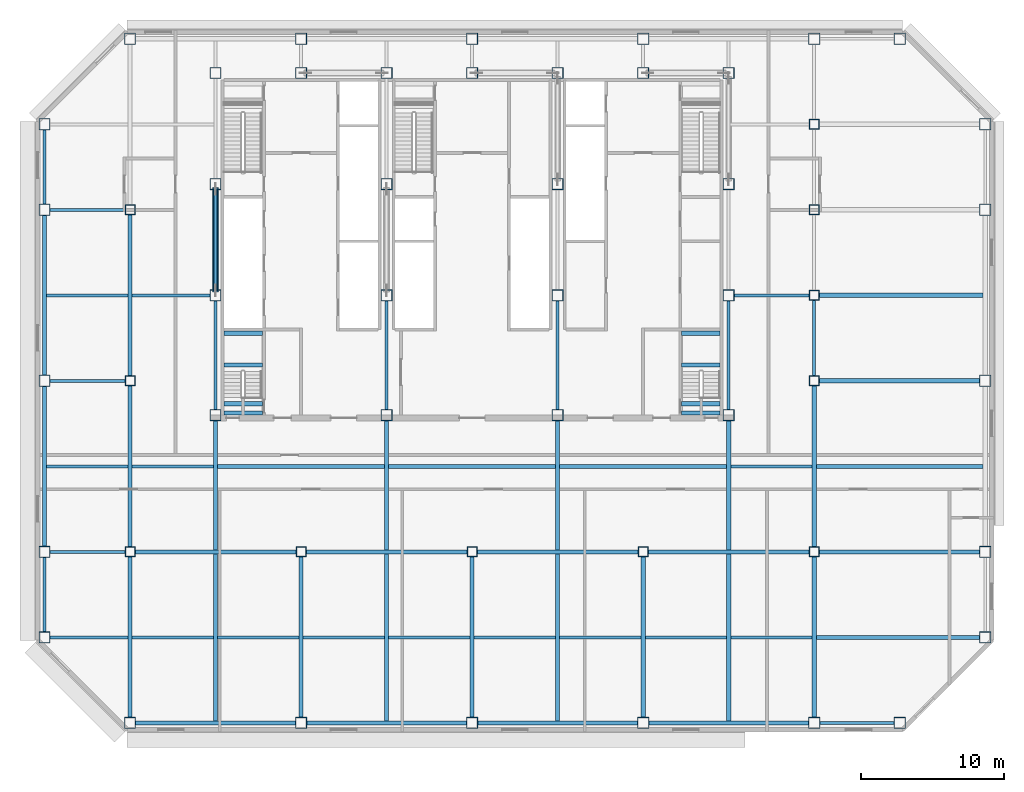
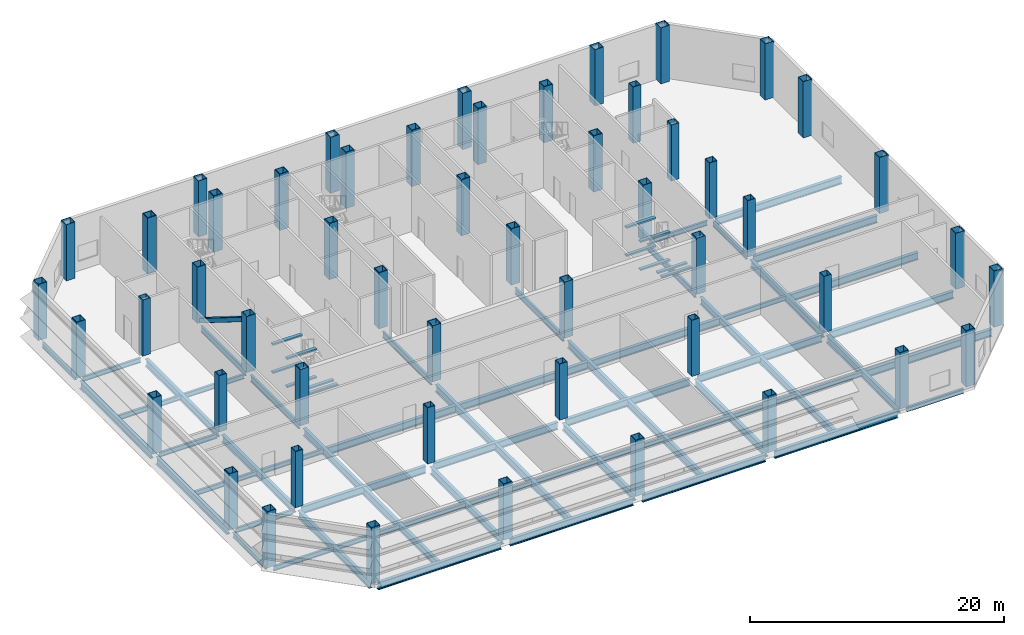
# One storey, part 1 of 10: 73 beams, 52 columns, 1 member.
"""IFC4 building model written with IfcOpenShell, lengths in metres."""

from ifc_helpers import new_model, si_unit, direction, frame, origin, origin_2d, place, context, subcontext, project, spatial, rectangle, hollow_rectangle, i_section, extrude, material, material_profile, profile_set, type_object, element, save


model = new_model("IFC4")

# Units and contexts
model_context = context("Model", 3, precision=1e-05, world=origin(), true_north=direction((0.0, 1.0)))
body_context = subcontext(model_context, "Body", "Model", "MODEL_VIEW")
ifc_project = project(units=[si_unit("LENGTHUNIT", "METRE"), si_unit("AREAUNIT", "SQUARE_METRE"), si_unit("VOLUMEUNIT", "CUBIC_METRE"), si_unit("PLANEANGLEUNIT", "RADIAN"), si_unit("MASSUNIT", "GRAM", prefix="KILO")], contexts=[model_context])

# Site, building, storey
site_placement = place(None, origin())
site = spatial("IfcSite", under=ifc_project, at=site_placement, CompositionType="ELEMENT")
building_placement = place(site_placement, origin())
building = spatial("IfcBuilding", under=site, at=building_placement, Name="Sorahane Residences", CompositionType="ELEMENT")
storey_placement = place(building_placement, frame((0.0, 0.0, 138.39990234375)))
storey = spatial("IfcBuildingStorey", under=building, at=storey_placement, Name="L31", CompositionType="ELEMENT", Elevation=138.39990234375)

# Columns
ifc_material_1 = material(Name="Steel Q355B", Category="steel")
ifc_material_profile_1 = material_profile(ifc_material_1, hollow_rectangle(XDim=0.699951171875, YDim=0.699951171875, WallThickness=0.035888671875, at=origin_2d()), Name="BOX 700x700x36")
ifc_profile_set_1 = profile_set([ifc_material_profile_1], Name="Steel Q355B")
column_type_1 = type_object("IfcColumnType", Name="Steel box column BOX 700x700x36 Q355B", PredefinedType="COLUMN", material=ifc_profile_set_1)
for number, where, z_axis, x_axis, name in (
    (1, (0.0, 12.0, 0.0), (0.0, 0.0, 1.0), (1.0, 0.0, 0.0), "Column L31 0/12"),
    (2, (0.0, 24.0, 0.0), (0.0, 0.0, 1.0), (1.0, 0.0, 0.0), "Column L31 0/24"),
    (3, (0.0, 36.0, 0.0), (0.0, 0.0, 1.0), (1.0, 0.0, 0.0), "Column L31 0/36"),
    (4, (12.0, 12.0, 0.0), (0.0, 0.0, 1.0), (1.0, 0.0, 0.0), "Column L31 12/12"),
    (5, (24.0, 12.0, 0.0), (0.0, 0.0, 1.0), (1.0, 0.0, 0.0), "Column L31 24/12"),
    (6, (36.0, 12.0, 0.0), (0.0, 0.0, 1.0), (1.0, 0.0, 0.0), "Column L31 36/12"),
    (7, (48.0, 12.0, 0.0), (0.0, 0.0, 1.0), (1.0, 0.0, 0.0), "Column L31 48/12"),
    (8, (48.0, 24.0, 0.0), (0.0, 0.0, 1.0), (1.0, 0.0, 0.0), "Column L31 48/24"),
    (9, (48.0, 30.0, 0.0), (0.0, 0.0, 1.0), (1.0, 0.0, 0.0), "Column L31 48/30"),
    (10, (48.0, 36.0, 0.0), (0.0, 0.0, 1.0), (1.0, 0.0, 0.0), "Column L31 48/36"),
    (11, (48.0, 42.0, 0.0), (0.0, 0.0, 1.0), (1.0, 0.0, 0.0), "Column L31 48/42"),
):
    element("IfcColumn", number, at=place(storey_placement, frame(where, z_axis=z_axis, x_axis=x_axis)), inside=storey, type_object=column_type_1, Name=name, PredefinedType="COLUMN", context=body_context, shape_type="SweptSolid", body=[
        extrude(hollow_rectangle(XDim=0.699951171875, YDim=0.699951171875, WallThickness=0.035888671875, at=origin_2d()), origin(), (0.0, 0.0, 1.0), 5.400146484375),
    ])
ifc_material_2 = material(Name="Steel Q355B", Category="steel")
ifc_material_profile_2 = material_profile(ifc_material_2, hollow_rectangle(XDim=0.800048828125, YDim=0.800048828125, WallThickness=0.0400390625, at=origin_2d()), Name="BOX 800x800x40")
ifc_profile_set_2 = profile_set([ifc_material_profile_2], Name="Steel Q355B")
column_type_2 = type_object("IfcColumnType", Name="Steel box column BOX 800x800x40 Q355B", PredefinedType="COLUMN", material=ifc_profile_set_2)
for number, where, z_axis, x_axis, name in (
    (12, (-6.0, 6.0, 0.0), (0.0, 0.0, 1.0), (1.0, 0.0, 0.0), "Column L31 m6/6"),
    (13, (-6.0, 12.0, 0.0), (0.0, 0.0, 1.0), (1.0, 0.0, 0.0), "Column L31 m6/12"),
    (14, (-6.0, 24.0, 0.0), (0.0, 0.0, 1.0), (1.0, 0.0, 0.0), "Column L31 m6/24"),
    (15, (-6.0, 36.0, 0.0), (0.0, 0.0, 1.0), (1.0, 0.0, 0.0), "Column L31 m6/36"),
    (16, (-6.0, 42.0, 0.0), (0.0, 0.0, 1.0), (1.0, 0.0, 0.0), "Column L31 m6/42"),
    (17, (0.0, 0.0, 0.0), (0.0, 0.0, 1.0), (1.0, 0.0, 0.0), "Column L31 0/0"),
    (18, (0.0, 48.0, 0.0), (0.0, 0.0, 1.0), (1.0, 0.0, 0.0), "Column L31 0/48"),
    (19, (12.0, 0.0, 0.0), (0.0, 0.0, 1.0), (1.0, 0.0, 0.0), "Column L31 12/0"),
    (20, (12.0, 48.0, 0.0), (0.0, 0.0, 1.0), (1.0, 0.0, 0.0), "Column L31 12/48"),
    (21, (24.0, 0.0, 0.0), (0.0, 0.0, 1.0), (1.0, 0.0, 0.0), "Column L31 24/0"),
    (22, (24.0, 48.0, 0.0), (0.0, 0.0, 1.0), (1.0, 0.0, 0.0), "Column L31 24/48"),
    (23, (36.0, 0.0, 0.0), (0.0, 0.0, 1.0), (1.0, 0.0, 0.0), "Column L31 36/0"),
    (24, (36.0, 48.0, 0.0), (0.0, 0.0, 1.0), (1.0, 0.0, 0.0), "Column L31 36/48"),
    (25, (48.0, 0.0, 0.0), (0.0, 0.0, 1.0), (1.0, 0.0, 0.0), "Column L31 48/0"),
    (26, (48.0, 48.0, 0.0), (0.0, 0.0, 1.0), (1.0, 0.0, 0.0), "Column L31 48/48"),
    (27, (54.0, 0.0, 0.0), (0.0, 0.0, 1.0), (1.0, 0.0, 0.0), "Column L31 54/0"),
    (28, (54.0, 48.0, 0.0), (0.0, 0.0, 1.0), (1.0, 0.0, 0.0), "Column L31 54/48"),
    (29, (60.0, 6.0, 0.0), (0.0, 0.0, 1.0), (1.0, 0.0, 0.0), "Column L31 60/6"),
    (30, (60.0, 12.0, 0.0), (0.0, 0.0, 1.0), (1.0, 0.0, 0.0), "Column L31 60/12"),
    (31, (60.0, 24.0, 0.0), (0.0, 0.0, 1.0), (1.0, 0.0, 0.0), "Column L31 60/24"),
    (32, (60.0, 36.0, 0.0), (0.0, 0.0, 1.0), (1.0, 0.0, 0.0), "Column L31 60/36"),
    (33, (60.0, 42.0, 0.0), (0.0, 0.0, 1.0), (1.0, 0.0, 0.0), "Column L31 60/42"),
):
    element("IfcColumn", number, at=place(storey_placement, frame(where, z_axis=z_axis, x_axis=x_axis)), inside=storey, type_object=column_type_2, Name=name, PredefinedType="COLUMN", context=body_context, shape_type="SweptSolid", body=[
        extrude(hollow_rectangle(XDim=0.800048828125, YDim=0.800048828125, WallThickness=0.0400390625, at=origin_2d()), origin(), (0.0, 0.0, 1.0), 5.400146484375),
    ])
ifc_material_3 = material(Name="Steel Q420GJ", Category="steel")
ifc_material_profile_3 = material_profile(ifc_material_3, hollow_rectangle(XDim=0.800048828125, YDim=0.800048828125, WallThickness=0.050048828125, at=origin_2d()), Name="BOX 800x800x50")
ifc_profile_set_3 = profile_set([ifc_material_profile_3], Name="Steel Q420GJ")
column_type_3 = type_object("IfcColumnType", Name="Steel box column BOX 800x800x50 Q420GJ", PredefinedType="COLUMN", material=ifc_profile_set_3)
for number, where, z_axis, x_axis, name in (
    (34, (6.0, 21.60009765625, 0.0), (0.0, 0.0, 1.0), (1.0, 0.0, 0.0), "Column L31 6/21.6"),
    (35, (6.0, 30.0, 0.0), (0.0, 0.0, 1.0), (1.0, 0.0, 0.0), "Column L31 6/30"),
    (36, (6.0, 37.800048828125, 0.0), (0.0, 0.0, 1.0), (1.0, 0.0, 0.0), "Column L31 6/37.8"),
    (37, (6.0, 45.60009765625, 0.0), (0.0, 0.0, 1.0), (1.0, 0.0, 0.0), "Column L31 6/45.6"),
    (38, (12.0, 45.60009765625, 0.0), (0.0, 0.0, 1.0), (1.0, 0.0, 0.0), "Column L31 12/45.6"),
    (39, (18.0, 21.60009765625, 0.0), (0.0, 0.0, 1.0), (1.0, 0.0, 0.0), "Column L31 18/21.6"),
    (40, (18.0, 30.0, 0.0), (0.0, 0.0, 1.0), (1.0, 0.0, 0.0), "Column L31 18/30"),
    (41, (18.0, 37.800048828125, 0.0), (0.0, 0.0, 1.0), (1.0, 0.0, 0.0), "Column L31 18/37.8"),
    (42, (18.0, 45.60009765625, 0.0), (0.0, 0.0, 1.0), (1.0, 0.0, 0.0), "Column L31 18/45.6"),
    (43, (24.0, 45.60009765625, 0.0), (0.0, 0.0, 1.0), (1.0, 0.0, 0.0), "Column L31 24/45.6"),
    (44, (30.0, 21.60009765625, 0.0), (0.0, 0.0, 1.0), (1.0, 0.0, 0.0), "Column L31 30/21.6"),
    (45, (30.0, 30.0, 0.0), (0.0, 0.0, 1.0), (1.0, 0.0, 0.0), "Column L31 30/30"),
    (46, (30.0, 37.800048828125, 0.0), (0.0, 0.0, 1.0), (1.0, 0.0, 0.0), "Column L31 30/37.8"),
    (47, (30.0, 45.60009765625, 0.0), (0.0, 0.0, 1.0), (1.0, 0.0, 0.0), "Column L31 30/45.6"),
    (48, (36.0, 45.60009765625, 0.0), (0.0, 0.0, 1.0), (1.0, 0.0, 0.0), "Column L31 36/45.6"),
    (49, (42.0, 21.60009765625, 0.0), (0.0, 0.0, 1.0), (1.0, 0.0, 0.0), "Column L31 42/21.6"),
    (50, (42.0, 30.0, 0.0), (0.0, 0.0, 1.0), (1.0, 0.0, 0.0), "Column L31 42/30"),
    (51, (42.0, 37.800048828125, 0.0), (0.0, 0.0, 1.0), (1.0, 0.0, 0.0), "Column L31 42/37.8"),
    (52, (42.0, 45.60009765625, 0.0), (0.0, 0.0, 1.0), (1.0, 0.0, 0.0), "Column L31 42/45.6"),
):
    element("IfcColumn", number, at=place(storey_placement, frame(where, z_axis=z_axis, x_axis=x_axis)), inside=storey, type_object=column_type_3, Name=name, PredefinedType="COLUMN", context=body_context, shape_type="SweptSolid", body=[
        extrude(hollow_rectangle(XDim=0.800048828125, YDim=0.800048828125, WallThickness=0.050048828125, at=origin_2d()), origin(), (0.0, 0.0, 1.0), 5.400146484375),
    ])

# Member
ifc_material_4 = material(Name="Steel Q355B", Category="steel")
ifc_material_profile_4 = material_profile(ifc_material_4, hollow_rectangle(XDim=0.39990234375, YDim=0.39990234375, WallThickness=0.02001953125, InnerFilletRadius=0.010009765625, OuterFilletRadius=0.030029296875, at=origin_2d()), Name="RHS 400x400x20")
ifc_profile_set_4 = profile_set([ifc_material_profile_4], Name="Steel Q355B")
member_type = type_object("IfcMemberType", Name="Core brace RHS 400x400x20 Q355B", PredefinedType="BRACE", material=ifc_profile_set_4)
member_placement = place(storey_placement, frame((6.0, 37.463623046875, 0.160400390625), z_axis=(0.0, -0.848267545169, 0.529567910482), x_axis=(1.0, 0.0, 0.0)))
element("IfcMember", 53, at=member_placement, inside=storey, type_object=member_type, Name="Core brace L31 x6-2", PredefinedType="BRACE", context=body_context, shape_type="SweptSolid", body=[
    extrude(hollow_rectangle(XDim=0.39990234375, YDim=0.39990234375, WallThickness=0.02001953125, InnerFilletRadius=0.010009765625, OuterFilletRadius=0.030029296875, at=origin_2d()), origin(), (0.0, 0.0, 1.0), 8.402099609375),
])

# Beams
ifc_material_5 = material(Name="Concrete C40", Category="concrete")
ifc_material_profile_5 = material_profile(ifc_material_5, rectangle(XDim=0.300048828125, YDim=0.139892578125, at=origin_2d()), Name="300x140")
ifc_profile_set_5 = profile_set([ifc_material_profile_5], Name="Concrete C40")
beam_type_1 = type_object("IfcBeamType", Name="RC landing beam 300 x 140 Concrete C40", PredefinedType="BEAM", material=ifc_profile_set_5)
for number, where, z_axis, x_axis, name in (
    (54, (6.60009765625, 25.1201171875, 1.080078125), (1.0, 0.0, 0.0), (0.0, 1.0, 0.0), "Landing beam"),
    (55, (6.60009765625, 27.35009765625, 1.080078125), (1.0, 0.0, 0.0), (0.0, 1.0, 0.0), "Landing beam"),
    (56, (6.60009765625, 21.75, 2.43017578125), (1.0, 0.0, 0.0), (0.0, 1.0, 0.0), "Landing beam"),
    (57, (6.60009765625, 22.39990234375, 2.43017578125), (1.0, 0.0, 0.0), (0.0, 1.0, 0.0), "Landing beam"),
    (58, (6.60009765625, 25.1201171875, 3.780029296875), (1.0, 0.0, 0.0), (0.0, 1.0, 0.0), "Landing beam"),
    (59, (6.60009765625, 27.35009765625, 3.780029296875), (1.0, 0.0, 0.0), (0.0, 1.0, 0.0), "Landing beam"),
    (60, (38.699951171875, 25.1201171875, 1.080078125), (1.0, 0.0, 0.0), (0.0, 1.0, 0.0), "Landing beam"),
    (61, (38.699951171875, 27.35009765625, 1.080078125), (1.0, 0.0, 0.0), (0.0, 1.0, 0.0), "Landing beam"),
    (62, (38.699951171875, 21.75, 2.43017578125), (1.0, 0.0, 0.0), (0.0, 1.0, 0.0), "Landing beam"),
    (63, (38.699951171875, 22.39990234375, 2.43017578125), (1.0, 0.0, 0.0), (0.0, 1.0, 0.0), "Landing beam"),
    (64, (38.699951171875, 25.1201171875, 3.780029296875), (1.0, 0.0, 0.0), (0.0, 1.0, 0.0), "Landing beam"),
    (65, (38.699951171875, 27.35009765625, 3.780029296875), (1.0, 0.0, 0.0), (0.0, 1.0, 0.0), "Landing beam"),
):
    element("IfcBeam", number, at=place(storey_placement, frame(where, z_axis=z_axis, x_axis=x_axis)), inside=storey, type_object=beam_type_1, Name=name, PredefinedType="BEAM", context=body_context, shape_type="SweptSolid", body=[
        extrude(rectangle(XDim=0.300048828125, YDim=0.139892578125, at=origin_2d()), origin(), (0.0, 0.0, 1.0), 2.699951171875),
    ])
ifc_material_6 = material(Name="Steel Q355B", Category="steel")
ifc_material_profile_6 = material_profile(ifc_material_6, i_section(OverallWidth=0.199951171875, OverallDepth=0.449951171875, WebThickness=0.009033203125, FlangeThickness=0.013916015625, FilletRadius=0.02001953125, at=origin_2d()), Name="HN 450x200x9x14")
ifc_profile_set_6 = profile_set([ifc_material_profile_6], Name="Steel Q355B")
beam_type_2 = type_object("IfcBeamType", Name="Steel floor beam HN 450x200x9x14 Q355B", PredefinedType="BEAM", material=ifc_profile_set_6)
beam_1_placement = place(storey_placement, frame((48.39990234375, 0.0, -0.52490234375), z_axis=(1.0, 0.0, 0.0), x_axis=(0.0, 1.0, 0.0)))
element("IfcBeam", 66, at=beam_1_placement, inside=storey, type_object=beam_type_2, Name="Beam L31 004", PredefinedType="BEAM", context=body_context, shape_type="SweptSolid", body=[
    extrude(i_section(OverallWidth=0.199951171875, OverallDepth=0.449951171875, WebThickness=0.009033203125, FlangeThickness=0.013916015625, FilletRadius=0.02001953125, at=origin_2d()), origin(), (0.0, 0.0, 1.0), 5.2001953125),
])
for number, where, z_axis, x_axis, name in (
    (67, (-5.60009765625, 12.0, -0.52490234375), (1.0, 0.0, 0.0), (0.0, 1.0, 0.0), "Beam L31 005"),
    (68, (-5.60009765625, 24.0, -0.52490234375), (1.0, 0.0, 0.0), (0.0, 1.0, 0.0), "Beam L31 011"),
    (69, (-5.60009765625, 36.0, -0.52490234375), (1.0, 0.0, 0.0), (0.0, 1.0, 0.0), "Beam L31 013"),
):
    element("IfcBeam", number, at=place(storey_placement, frame(where, z_axis=z_axis, x_axis=x_axis)), inside=storey, type_object=beam_type_2, Name=name, PredefinedType="BEAM", context=body_context, shape_type="SweptSolid", body=[
        extrude(i_section(OverallWidth=0.199951171875, OverallDepth=0.449951171875, WebThickness=0.009033203125, FlangeThickness=0.013916015625, FilletRadius=0.02001953125, at=origin_2d()), origin(), (0.0, 0.0, 1.0), 5.25),
    ])
for number, where, z_axis, x_axis, name in (
    (70, (-6.0, 6.39990234375, -0.52490234375), (0.0, 1.0, 0.0), (-1.0, 0.0, 0.0), "Beam L31 020"),
    (71, (-6.0, 36.39990234375, -0.52490234375), (0.0, 1.0, 0.0), (-1.0, 0.0, 0.0), "Beam L31 023"),
):
    element("IfcBeam", number, at=place(storey_placement, frame(where, z_axis=z_axis, x_axis=x_axis)), inside=storey, type_object=beam_type_2, Name=name, PredefinedType="BEAM", context=body_context, shape_type="SweptSolid", body=[
        extrude(i_section(OverallWidth=0.199951171875, OverallDepth=0.449951171875, WebThickness=0.009033203125, FlangeThickness=0.013916015625, FilletRadius=0.02001953125, at=origin_2d()), origin(), (0.0, 0.0, 1.0), 5.2001953125),
    ])
beam_2_placement = place(storey_placement, frame((48.0, 24.35009765625, -0.52490234375), z_axis=(0.0, 1.0, 0.0), x_axis=(-1.0, 0.0, 0.0)))
element("IfcBeam", 72, at=beam_2_placement, inside=storey, type_object=beam_type_2, Name="Beam L31 060", PredefinedType="BEAM", context=body_context, shape_type="SweptSolid", body=[
    extrude(i_section(OverallWidth=0.199951171875, OverallDepth=0.449951171875, WebThickness=0.009033203125, FlangeThickness=0.013916015625, FilletRadius=0.02001953125, at=origin_2d()), origin(), (0.0, 0.0, 1.0), 5.2998046875),
])
beam_3_placement = place(storey_placement, frame((-5.60009765625, 6.0, -0.52490234375), z_axis=(1.0, 0.0, 0.0), x_axis=(0.0, 1.0, 0.0)))
element("IfcBeam", 73, at=beam_3_placement, inside=storey, type_object=beam_type_2, Name="Beam L31 068", PredefinedType="BEAM", context=body_context, shape_type="SweptSolid", body=[
    extrude(i_section(OverallWidth=0.199951171875, OverallDepth=0.449951171875, WebThickness=0.009033203125, FlangeThickness=0.013916015625, FilletRadius=0.02001953125, at=origin_2d()), origin(), (0.0, 0.0, 1.0), 5.4501953125),
])
for number, where, z_axis, x_axis, name in (
    (74, (0.14990234375, 6.0, -0.52490234375), (1.0, 0.0, 0.0), (0.0, 1.0, 0.0), "Beam L31 069"),
    (75, (6.14990234375, 6.0, -0.52490234375), (1.0, 0.0, 0.0), (0.0, 1.0, 0.0), "Beam L31 070"),
    (76, (12.14990234375, 6.0, -0.52490234375), (1.0, 0.0, 0.0), (0.0, 1.0, 0.0), "Beam L31 071"),
    (77, (18.14990234375, 6.0, -0.52490234375), (1.0, 0.0, 0.0), (0.0, 1.0, 0.0), "Beam L31 072"),
    (78, (24.14990234375, 6.0, -0.52490234375), (1.0, 0.0, 0.0), (0.0, 1.0, 0.0), "Beam L31 073"),
    (79, (30.14990234375, 6.0, -0.52490234375), (1.0, 0.0, 0.0), (0.0, 1.0, 0.0), "Beam L31 074"),
    (80, (36.14990234375, 6.0, -0.52490234375), (1.0, 0.0, 0.0), (0.0, 1.0, 0.0), "Beam L31 075"),
    (81, (42.14990234375, 6.0, -0.52490234375), (1.0, 0.0, 0.0), (0.0, 1.0, 0.0), "Beam L31 076"),
    (82, (-5.85009765625, 18.0, -0.52490234375), (1.0, 0.0, 0.0), (0.0, 1.0, 0.0), "Beam L31 078"),
    (83, (0.14990234375, 18.0, -0.52490234375), (1.0, 0.0, 0.0), (0.0, 1.0, 0.0), "Beam L31 079"),
    (84, (42.14990234375, 18.0, -0.52490234375), (1.0, 0.0, 0.0), (0.0, 1.0, 0.0), "Beam L31 083"),
    (85, (-5.85009765625, 30.0, -0.52490234375), (1.0, 0.0, 0.0), (0.0, 1.0, 0.0), "Beam L31 085"),
):
    element("IfcBeam", number, at=place(storey_placement, frame(where, z_axis=z_axis, x_axis=x_axis)), inside=storey, type_object=beam_type_2, Name=name, PredefinedType="BEAM", context=body_context, shape_type="SweptSolid", body=[
        extrude(i_section(OverallWidth=0.199951171875, OverallDepth=0.449951171875, WebThickness=0.009033203125, FlangeThickness=0.013916015625, FilletRadius=0.02001953125, at=origin_2d()), origin(), (0.0, 0.0, 1.0), 5.7001953125),
    ])
beam_4_placement = place(storey_placement, frame((0.14990234375, 30.0, -0.52490234375), z_axis=(1.0, 0.0, 0.0), x_axis=(0.0, 1.0, 0.0)))
element("IfcBeam", 86, at=beam_4_placement, inside=storey, type_object=beam_type_2, Name="Beam L31 086", PredefinedType="BEAM", context=body_context, shape_type="SweptSolid", body=[
    extrude(i_section(OverallWidth=0.199951171875, OverallDepth=0.449951171875, WebThickness=0.009033203125, FlangeThickness=0.013916015625, FilletRadius=0.02001953125, at=origin_2d()), origin(), (0.0, 0.0, 1.0), 5.4501953125),
])
beam_5_placement = place(storey_placement, frame((42.39990234375, 30.0, -0.52490234375), z_axis=(1.0, 0.0, 0.0), x_axis=(0.0, 1.0, 0.0)))
element("IfcBeam", 87, at=beam_5_placement, inside=storey, type_object=beam_type_2, Name="Beam L31 087", PredefinedType="BEAM", context=body_context, shape_type="SweptSolid", body=[
    extrude(i_section(OverallWidth=0.199951171875, OverallDepth=0.449951171875, WebThickness=0.009033203125, FlangeThickness=0.013916015625, FilletRadius=0.02001953125, at=origin_2d()), origin(), (0.0, 0.0, 1.0), 5.25),
])
ifc_material_7 = material(Name="Steel Q355B", Category="steel")
ifc_material_profile_7 = material_profile(ifc_material_7, i_section(OverallWidth=0.199951171875, OverallDepth=0.60009765625, WebThickness=0.010986328125, FlangeThickness=0.01708984375, FilletRadius=0.02392578125, at=origin_2d()), Name="HN 600x200x11x17")
ifc_profile_set_7 = profile_set([ifc_material_profile_7], Name="Steel Q355B")
beam_type_3 = type_object("IfcBeamType", Name="Steel floor beam HN 600x200x11x17 Q355B", PredefinedType="BEAM", material=ifc_profile_set_7)
beam_6_placement = place(storey_placement, frame((6.0, 22.0, -0.599853515625), z_axis=(0.0, 1.0, 0.0), x_axis=(-1.0, 0.0, 0.0)))
element("IfcBeam", 88, at=beam_6_placement, inside=storey, type_object=beam_type_3, Name="Beam L31 030", PredefinedType="BEAM", context=body_context, shape_type="SweptSolid", body=[
    extrude(i_section(OverallWidth=0.199951171875, OverallDepth=0.60009765625, WebThickness=0.010986328125, FlangeThickness=0.01708984375, FilletRadius=0.02392578125, at=origin_2d()), origin(), (0.0, 0.0, 1.0), 7.60009765625),
])
beam_7_placement = place(storey_placement, frame((6.0, 30.39990234375, -0.599853515625), z_axis=(0.0, 1.0, 0.0), x_axis=(-1.0, 0.0, 0.0)))
element("IfcBeam", 89, at=beam_7_placement, inside=storey, type_object=beam_type_3, Name="Beam L31 031", PredefinedType="BEAM", context=body_context, shape_type="SweptSolid", body=[
    extrude(i_section(OverallWidth=0.199951171875, OverallDepth=0.60009765625, WebThickness=0.010986328125, FlangeThickness=0.01708984375, FilletRadius=0.02392578125, at=origin_2d()), origin(), (0.0, 0.0, 1.0), 7.0),
])
for number, where, z_axis, x_axis, name in (
    (90, (18.0, 22.0, -0.599853515625), (0.0, 1.0, 0.0), (-1.0, 0.0, 0.0), "Beam L31 038"),
    (91, (30.0, 22.0, -0.599853515625), (0.0, 1.0, 0.0), (-1.0, 0.0, 0.0), "Beam L31 046"),
    (92, (42.0, 22.0, -0.599853515625), (0.0, 1.0, 0.0), (-1.0, 0.0, 0.0), "Beam L31 054"),
):
    element("IfcBeam", number, at=place(storey_placement, frame(where, z_axis=z_axis, x_axis=x_axis)), inside=storey, type_object=beam_type_3, Name=name, PredefinedType="BEAM", context=body_context, shape_type="SweptSolid", body=[
        extrude(i_section(OverallWidth=0.199951171875, OverallDepth=0.60009765625, WebThickness=0.010986328125, FlangeThickness=0.01708984375, FilletRadius=0.02392578125, at=origin_2d()), origin(), (0.0, 0.0, 1.0), 7.60009765625),
    ])
ifc_material_8 = material(Name="Steel Q355B", Category="steel")
ifc_material_profile_8 = material_profile(ifc_material_8, i_section(OverallWidth=0.300048828125, OverallDepth=0.699951171875, WebThickness=0.012939453125, FlangeThickness=0.02392578125, FilletRadius=0.028076171875, at=origin_2d()), Name="HN 700x300x13x24")
ifc_profile_set_8 = profile_set([ifc_material_profile_8], Name="Steel Q355B")
beam_type_4 = type_object("IfcBeamType", Name="Steel floor beam HN 700x300x13x24 Q355B", PredefinedType="BEAM", material=ifc_profile_set_8)
for number, where, z_axis, x_axis, name in (
    (93, (0.39990234375, 0.0, -0.64990234375), (1.0, 0.0, 0.0), (0.0, 1.0, 0.0), "Beam L31 000"),
    (94, (12.39990234375, 0.0, -0.64990234375), (1.0, 0.0, 0.0), (0.0, 1.0, 0.0), "Beam L31 001"),
    (95, (24.39990234375, 0.0, -0.64990234375), (1.0, 0.0, 0.0), (0.0, 1.0, 0.0), "Beam L31 002"),
    (96, (36.39990234375, 0.0, -0.64990234375), (1.0, 0.0, 0.0), (0.0, 1.0, 0.0), "Beam L31 003"),
):
    element("IfcBeam", number, at=place(storey_placement, frame(where, z_axis=z_axis, x_axis=x_axis)), inside=storey, type_object=beam_type_4, Name=name, PredefinedType="BEAM", context=body_context, shape_type="SweptSolid", body=[
        extrude(i_section(OverallWidth=0.300048828125, OverallDepth=0.699951171875, WebThickness=0.012939453125, FlangeThickness=0.02392578125, FilletRadius=0.028076171875, at=origin_2d()), origin(), (0.0, 0.0, 1.0), 11.2001953125),
    ])
for number, where, z_axis, x_axis, name in (
    (97, (0.35009765625, 12.0, -0.64990234375), (1.0, 0.0, 0.0), (0.0, 1.0, 0.0), "Beam L31 006"),
    (98, (12.35009765625, 12.0, -0.64990234375), (1.0, 0.0, 0.0), (0.0, 1.0, 0.0), "Beam L31 007"),
    (99, (24.35009765625, 12.0, -0.64990234375), (1.0, 0.0, 0.0), (0.0, 1.0, 0.0), "Beam L31 008"),
    (100, (36.35009765625, 12.0, -0.64990234375), (1.0, 0.0, 0.0), (0.0, 1.0, 0.0), "Beam L31 009"),
):
    element("IfcBeam", number, at=place(storey_placement, frame(where, z_axis=z_axis, x_axis=x_axis)), inside=storey, type_object=beam_type_4, Name=name, PredefinedType="BEAM", context=body_context, shape_type="SweptSolid", body=[
        extrude(i_section(OverallWidth=0.300048828125, OverallDepth=0.699951171875, WebThickness=0.012939453125, FlangeThickness=0.02392578125, FilletRadius=0.028076171875, at=origin_2d()), origin(), (0.0, 0.0, 1.0), 11.2998046875),
    ])
for number, where, z_axis, x_axis, name in (
    (101, (48.35009765625, 12.0, -0.64990234375), (1.0, 0.0, 0.0), (0.0, 1.0, 0.0), "Beam L31 010"),
    (102, (48.35009765625, 24.0, -0.64990234375), (1.0, 0.0, 0.0), (0.0, 1.0, 0.0), "Beam L31 012"),
):
    element("IfcBeam", number, at=place(storey_placement, frame(where, z_axis=z_axis, x_axis=x_axis)), inside=storey, type_object=beam_type_4, Name=name, PredefinedType="BEAM", context=body_context, shape_type="SweptSolid", body=[
        extrude(i_section(OverallWidth=0.300048828125, OverallDepth=0.699951171875, WebThickness=0.012939453125, FlangeThickness=0.02392578125, FilletRadius=0.028076171875, at=origin_2d()), origin(), (0.0, 0.0, 1.0), 11.25),
    ])
for number, where, z_axis, x_axis, name in (
    (103, (-6.0, 12.39990234375, -0.64990234375), (0.0, 1.0, 0.0), (-1.0, 0.0, 0.0), "Beam L31 021"),
    (104, (-6.0, 24.39990234375, -0.64990234375), (0.0, 1.0, 0.0), (-1.0, 0.0, 0.0), "Beam L31 022"),
):
    element("IfcBeam", number, at=place(storey_placement, frame(where, z_axis=z_axis, x_axis=x_axis)), inside=storey, type_object=beam_type_4, Name=name, PredefinedType="BEAM", context=body_context, shape_type="SweptSolid", body=[
        extrude(i_section(OverallWidth=0.300048828125, OverallDepth=0.699951171875, WebThickness=0.012939453125, FlangeThickness=0.02392578125, FilletRadius=0.028076171875, at=origin_2d()), origin(), (0.0, 0.0, 1.0), 11.2001953125),
    ])
beam_8_placement = place(storey_placement, frame((0.0, 0.39990234375, -0.64990234375), z_axis=(0.0, 1.0, 0.0), x_axis=(-1.0, 0.0, 0.0)))
element("IfcBeam", 105, at=beam_8_placement, inside=storey, type_object=beam_type_4, Name="Beam L31 024", PredefinedType="BEAM", context=body_context, shape_type="SweptSolid", body=[
    extrude(i_section(OverallWidth=0.300048828125, OverallDepth=0.699951171875, WebThickness=0.012939453125, FlangeThickness=0.02392578125, FilletRadius=0.028076171875, at=origin_2d()), origin(), (0.0, 0.0, 1.0), 11.25),
])
for number, where, z_axis, x_axis, name in (
    (106, (0.0, 12.35009765625, -0.64990234375), (0.0, 1.0, 0.0), (-1.0, 0.0, 0.0), "Beam L31 025"),
    (107, (0.0, 24.35009765625, -0.64990234375), (0.0, 1.0, 0.0), (-1.0, 0.0, 0.0), "Beam L31 026"),
):
    element("IfcBeam", number, at=place(storey_placement, frame(where, z_axis=z_axis, x_axis=x_axis)), inside=storey, type_object=beam_type_4, Name=name, PredefinedType="BEAM", context=body_context, shape_type="SweptSolid", body=[
        extrude(i_section(OverallWidth=0.300048828125, OverallDepth=0.699951171875, WebThickness=0.012939453125, FlangeThickness=0.02392578125, FilletRadius=0.028076171875, at=origin_2d()), origin(), (0.0, 0.0, 1.0), 11.2998046875),
    ])
beam_9_placement = place(storey_placement, frame((6.0, 0.14990234375, -0.64990234375), z_axis=(0.0, 1.0, 0.0), x_axis=(-1.0, 0.0, 0.0)))
element("IfcBeam", 108, at=beam_9_placement, inside=storey, type_object=beam_type_4, Name="Beam L31 028", PredefinedType="BEAM", context=body_context, shape_type="SweptSolid", body=[
    extrude(i_section(OverallWidth=0.300048828125, OverallDepth=0.699951171875, WebThickness=0.012939453125, FlangeThickness=0.02392578125, FilletRadius=0.028076171875, at=origin_2d()), origin(), (0.0, 0.0, 1.0), 11.7001953125),
])
beam_10_placement = place(storey_placement, frame((6.0, 12.14990234375, -0.64990234375), z_axis=(0.0, 1.0, 0.0), x_axis=(-1.0, 0.0, 0.0)))
element("IfcBeam", 109, at=beam_10_placement, inside=storey, type_object=beam_type_4, Name="Beam L31 029", PredefinedType="BEAM", context=body_context, shape_type="SweptSolid", body=[
    extrude(i_section(OverallWidth=0.300048828125, OverallDepth=0.699951171875, WebThickness=0.012939453125, FlangeThickness=0.02392578125, FilletRadius=0.028076171875, at=origin_2d()), origin(), (0.0, 0.0, 1.0), 9.050048828125),
])
beam_11_placement = place(storey_placement, frame((12.0, 0.39990234375, -0.64990234375), z_axis=(0.0, 1.0, 0.0), x_axis=(-1.0, 0.0, 0.0)))
element("IfcBeam", 110, at=beam_11_placement, inside=storey, type_object=beam_type_4, Name="Beam L31 034", PredefinedType="BEAM", context=body_context, shape_type="SweptSolid", body=[
    extrude(i_section(OverallWidth=0.300048828125, OverallDepth=0.699951171875, WebThickness=0.012939453125, FlangeThickness=0.02392578125, FilletRadius=0.028076171875, at=origin_2d()), origin(), (0.0, 0.0, 1.0), 11.25),
])
beam_12_placement = place(storey_placement, frame((18.0, 0.14990234375, -0.64990234375), z_axis=(0.0, 1.0, 0.0), x_axis=(-1.0, 0.0, 0.0)))
element("IfcBeam", 111, at=beam_12_placement, inside=storey, type_object=beam_type_4, Name="Beam L31 036", PredefinedType="BEAM", context=body_context, shape_type="SweptSolid", body=[
    extrude(i_section(OverallWidth=0.300048828125, OverallDepth=0.699951171875, WebThickness=0.012939453125, FlangeThickness=0.02392578125, FilletRadius=0.028076171875, at=origin_2d()), origin(), (0.0, 0.0, 1.0), 11.7001953125),
])
beam_13_placement = place(storey_placement, frame((18.0, 12.14990234375, -0.64990234375), z_axis=(0.0, 1.0, 0.0), x_axis=(-1.0, 0.0, 0.0)))
element("IfcBeam", 112, at=beam_13_placement, inside=storey, type_object=beam_type_4, Name="Beam L31 037", PredefinedType="BEAM", context=body_context, shape_type="SweptSolid", body=[
    extrude(i_section(OverallWidth=0.300048828125, OverallDepth=0.699951171875, WebThickness=0.012939453125, FlangeThickness=0.02392578125, FilletRadius=0.028076171875, at=origin_2d()), origin(), (0.0, 0.0, 1.0), 9.050048828125),
])
beam_14_placement = place(storey_placement, frame((24.0, 0.39990234375, -0.64990234375), z_axis=(0.0, 1.0, 0.0), x_axis=(-1.0, 0.0, 0.0)))
element("IfcBeam", 113, at=beam_14_placement, inside=storey, type_object=beam_type_4, Name="Beam L31 042", PredefinedType="BEAM", context=body_context, shape_type="SweptSolid", body=[
    extrude(i_section(OverallWidth=0.300048828125, OverallDepth=0.699951171875, WebThickness=0.012939453125, FlangeThickness=0.02392578125, FilletRadius=0.028076171875, at=origin_2d()), origin(), (0.0, 0.0, 1.0), 11.25),
])
beam_15_placement = place(storey_placement, frame((30.0, 0.14990234375, -0.64990234375), z_axis=(0.0, 1.0, 0.0), x_axis=(-1.0, 0.0, 0.0)))
element("IfcBeam", 114, at=beam_15_placement, inside=storey, type_object=beam_type_4, Name="Beam L31 044", PredefinedType="BEAM", context=body_context, shape_type="SweptSolid", body=[
    extrude(i_section(OverallWidth=0.300048828125, OverallDepth=0.699951171875, WebThickness=0.012939453125, FlangeThickness=0.02392578125, FilletRadius=0.028076171875, at=origin_2d()), origin(), (0.0, 0.0, 1.0), 11.7001953125),
])
beam_16_placement = place(storey_placement, frame((30.0, 12.14990234375, -0.64990234375), z_axis=(0.0, 1.0, 0.0), x_axis=(-1.0, 0.0, 0.0)))
element("IfcBeam", 115, at=beam_16_placement, inside=storey, type_object=beam_type_4, Name="Beam L31 045", PredefinedType="BEAM", context=body_context, shape_type="SweptSolid", body=[
    extrude(i_section(OverallWidth=0.300048828125, OverallDepth=0.699951171875, WebThickness=0.012939453125, FlangeThickness=0.02392578125, FilletRadius=0.028076171875, at=origin_2d()), origin(), (0.0, 0.0, 1.0), 9.050048828125),
])
beam_17_placement = place(storey_placement, frame((36.0, 0.39990234375, -0.64990234375), z_axis=(0.0, 1.0, 0.0), x_axis=(-1.0, 0.0, 0.0)))
element("IfcBeam", 116, at=beam_17_placement, inside=storey, type_object=beam_type_4, Name="Beam L31 050", PredefinedType="BEAM", context=body_context, shape_type="SweptSolid", body=[
    extrude(i_section(OverallWidth=0.300048828125, OverallDepth=0.699951171875, WebThickness=0.012939453125, FlangeThickness=0.02392578125, FilletRadius=0.028076171875, at=origin_2d()), origin(), (0.0, 0.0, 1.0), 11.25),
])
beam_18_placement = place(storey_placement, frame((42.0, 0.14990234375, -0.64990234375), z_axis=(0.0, 1.0, 0.0), x_axis=(-1.0, 0.0, 0.0)))
element("IfcBeam", 117, at=beam_18_placement, inside=storey, type_object=beam_type_4, Name="Beam L31 052", PredefinedType="BEAM", context=body_context, shape_type="SweptSolid", body=[
    extrude(i_section(OverallWidth=0.300048828125, OverallDepth=0.699951171875, WebThickness=0.012939453125, FlangeThickness=0.02392578125, FilletRadius=0.028076171875, at=origin_2d()), origin(), (0.0, 0.0, 1.0), 11.7001953125),
])
beam_19_placement = place(storey_placement, frame((42.0, 12.14990234375, -0.64990234375), z_axis=(0.0, 1.0, 0.0), x_axis=(-1.0, 0.0, 0.0)))
element("IfcBeam", 118, at=beam_19_placement, inside=storey, type_object=beam_type_4, Name="Beam L31 053", PredefinedType="BEAM", context=body_context, shape_type="SweptSolid", body=[
    extrude(i_section(OverallWidth=0.300048828125, OverallDepth=0.699951171875, WebThickness=0.012939453125, FlangeThickness=0.02392578125, FilletRadius=0.028076171875, at=origin_2d()), origin(), (0.0, 0.0, 1.0), 9.050048828125),
])
beam_20_placement = place(storey_placement, frame((48.0, 0.39990234375, -0.64990234375), z_axis=(0.0, 1.0, 0.0), x_axis=(-1.0, 0.0, 0.0)))
element("IfcBeam", 119, at=beam_20_placement, inside=storey, type_object=beam_type_4, Name="Beam L31 058", PredefinedType="BEAM", context=body_context, shape_type="SweptSolid", body=[
    extrude(i_section(OverallWidth=0.300048828125, OverallDepth=0.699951171875, WebThickness=0.012939453125, FlangeThickness=0.02392578125, FilletRadius=0.028076171875, at=origin_2d()), origin(), (0.0, 0.0, 1.0), 11.25),
])
beam_21_placement = place(storey_placement, frame((48.0, 12.35009765625, -0.64990234375), z_axis=(0.0, 1.0, 0.0), x_axis=(-1.0, 0.0, 0.0)))
element("IfcBeam", 120, at=beam_21_placement, inside=storey, type_object=beam_type_4, Name="Beam L31 059", PredefinedType="BEAM", context=body_context, shape_type="SweptSolid", body=[
    extrude(i_section(OverallWidth=0.300048828125, OverallDepth=0.699951171875, WebThickness=0.012939453125, FlangeThickness=0.02392578125, FilletRadius=0.028076171875, at=origin_2d()), origin(), (0.0, 0.0, 1.0), 11.2998046875),
])
beam_22_placement = place(storey_placement, frame((48.14990234375, 6.0, -0.64990234375), z_axis=(1.0, 0.0, 0.0), x_axis=(0.0, 1.0, 0.0)))
element("IfcBeam", 121, at=beam_22_placement, inside=storey, type_object=beam_type_4, Name="Beam L31 077", PredefinedType="BEAM", context=body_context, shape_type="SweptSolid", body=[
    extrude(i_section(OverallWidth=0.300048828125, OverallDepth=0.699951171875, WebThickness=0.012939453125, FlangeThickness=0.02392578125, FilletRadius=0.028076171875, at=origin_2d()), origin(), (0.0, 0.0, 1.0), 11.4501953125),
])
for number, where, z_axis, x_axis, name in (
    (122, (6.14990234375, 18.0, -0.64990234375), (1.0, 0.0, 0.0), (0.0, 1.0, 0.0), "Beam L31 080"),
    (123, (18.14990234375, 18.0, -0.64990234375), (1.0, 0.0, 0.0), (0.0, 1.0, 0.0), "Beam L31 081"),
    (124, (30.14990234375, 18.0, -0.64990234375), (1.0, 0.0, 0.0), (0.0, 1.0, 0.0), "Beam L31 082"),
    (125, (48.14990234375, 18.0, -0.64990234375), (1.0, 0.0, 0.0), (0.0, 1.0, 0.0), "Beam L31 084"),
):
    element("IfcBeam", number, at=place(storey_placement, frame(where, z_axis=z_axis, x_axis=x_axis)), inside=storey, type_object=beam_type_4, Name=name, PredefinedType="BEAM", context=body_context, shape_type="SweptSolid", body=[
        extrude(i_section(OverallWidth=0.300048828125, OverallDepth=0.699951171875, WebThickness=0.012939453125, FlangeThickness=0.02392578125, FilletRadius=0.028076171875, at=origin_2d()), origin(), (0.0, 0.0, 1.0), 11.7001953125),
    ])
beam_23_placement = place(storey_placement, frame((48.35009765625, 30.0, -0.64990234375), z_axis=(1.0, 0.0, 0.0), x_axis=(0.0, 1.0, 0.0)))
element("IfcBeam", 126, at=beam_23_placement, inside=storey, type_object=beam_type_4, Name="Beam L31 088", PredefinedType="BEAM", context=body_context, shape_type="SweptSolid", body=[
    extrude(i_section(OverallWidth=0.300048828125, OverallDepth=0.699951171875, WebThickness=0.012939453125, FlangeThickness=0.02392578125, FilletRadius=0.028076171875, at=origin_2d()), origin(), (0.0, 0.0, 1.0), 11.5),
])

save(model, "model.ifc")
